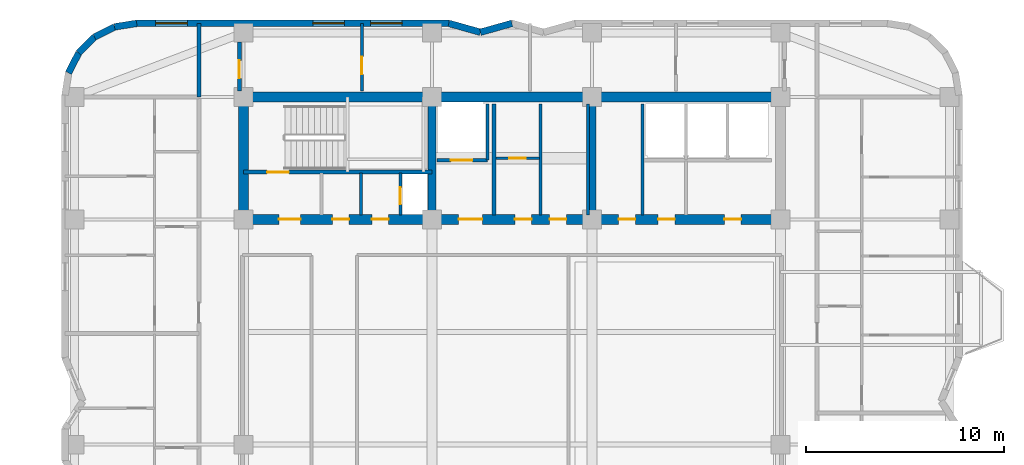
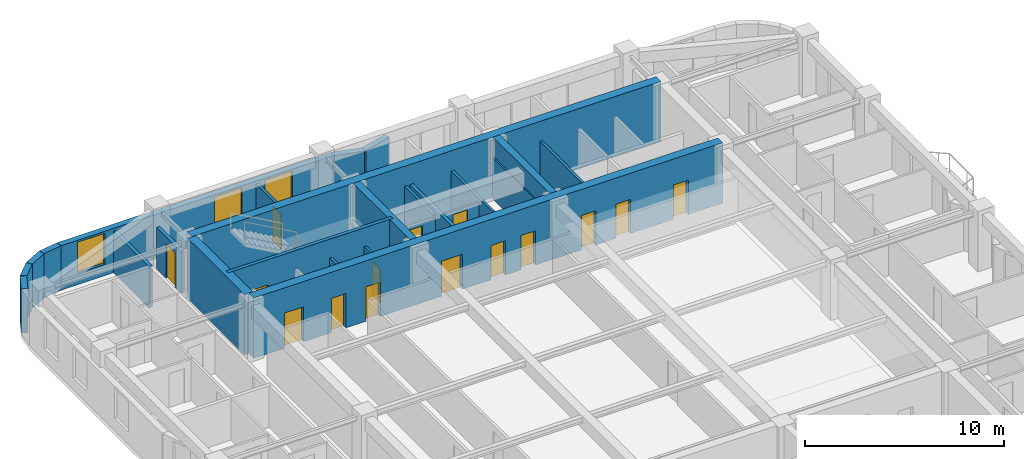
# One storey, part 6 of 9: 25 walls, 15 doors, 3 windows, 18 openings.
"""IFC4 building model written with IfcOpenShell, lengths in metres."""

from ifc_helpers import new_model, si_unit, direction, frame, frame_2d, origin, place, context, subcontext, project, spatial, rectangle, extrude, material, layer, layer_set, type_object, element, fill, save


model = new_model("IFC4")

# Units and contexts
model_context = context("Model", 3, precision=1e-05, world=origin(), true_north=direction((0.0, 1.0)))
body_context = subcontext(model_context, "Body", "Model", "MODEL_VIEW")
ifc_project = project(units=[si_unit("LENGTHUNIT", "METRE"), si_unit("AREAUNIT", "SQUARE_METRE"), si_unit("VOLUMEUNIT", "CUBIC_METRE"), si_unit("PLANEANGLEUNIT", "RADIAN"), si_unit("MASSUNIT", "GRAM", prefix="KILO")], contexts=[model_context])

# Site, building, storey
site_placement = place(None, origin())
site = spatial("IfcSite", under=ifc_project, at=site_placement, CompositionType="ELEMENT")
building_placement = place(site_placement, origin())
building = spatial("IfcBuilding", under=site, at=building_placement, Name="Svetorya Sky Lyceum", CompositionType="ELEMENT")
storey_placement = place(building_placement, frame((0.0, 0.0, 155.199951171875)))
storey = spatial("IfcBuildingStorey", under=building, at=storey_placement, Name="L38", CompositionType="ELEMENT", Elevation=155.199951171875)

# Walls
ifc_material_1 = material(Name="Concrete C40/50", Category="concrete")
ifc_layer_1 = layer(ifc_material_1, 0.39990234375)
ifc_layer_set_1 = layer_set([ifc_layer_1], Name="Concrete C40/50")
wall_type_1 = type_object("IfcWallType", Name="WL-CORE-400", PredefinedType="SHEAR", material=ifc_layer_set_1)
for number, where, z_axis, x_axis, name in (
    (1, (35.14990234375, 39.85009765625, 0.0), (0.0, 0.0, 1.0), (0.0, 1.0, 0.0), "L38 NC Internal Shear Web WEB1"),
    (2, (43.25, 39.85009765625, 0.0), (0.0, 0.0, 1.0), (0.0, 1.0, 0.0), "L38 NC Internal Shear Web WEB2"),
):
    element("IfcWall", number, at=place(storey_placement, frame(where, z_axis=z_axis, x_axis=x_axis)), inside=storey, type_object=wall_type_1, Name=name, PredefinedType="SHEAR", context=body_context, shape_type="SweptSolid", body=[
        extrude(rectangle(XDim=5.699951171875, YDim=0.39990234375, at=frame_2d((2.85009765625, 0.0))), origin(), (0.0, 0.0, 1.0), 3.699951171875),
    ])
ifc_material_2 = material(Name="Concrete C50/60", Category="concrete")
ifc_layer_2 = layer(ifc_material_2, 0.5)
ifc_layer_set_2 = layer_set([ifc_layer_2], Name="Concrete C50/60")
wall_type_2 = type_object("IfcWallType", Name="WL-CORE-500", PredefinedType="SHEAR", material=ifc_layer_set_2)
wall_1_placement = place(storey_placement, frame((25.60009765625, 45.800048828125, 0.0), z_axis=(0.0, 0.0, 1.0), x_axis=(1.0, 0.0, 0.0)))
element("IfcWall", 3, at=wall_1_placement, inside=storey, type_object=wall_type_2, Name="L38 NC Outer Core Shear Wall", PredefinedType="SHEAR", context=body_context, shape_type="SweptSolid", body=[
    extrude(rectangle(XDim=27.199951171875, YDim=0.5, at=frame_2d((13.60009765625, 0.0))), origin(), (0.0, 0.0, 1.0), 3.699951171875),
])
wall_2_placement = place(storey_placement, frame((25.60009765625, 39.85009765625, 0.0), z_axis=(0.0, 0.0, 1.0), x_axis=(0.0, 1.0, 0.0)))
element("IfcWall", 4, at=wall_2_placement, inside=storey, type_object=wall_type_2, Name="L38 NC West Core Shear Wall", PredefinedType="SHEAR", context=body_context, shape_type="SweptSolid", body=[
    extrude(rectangle(XDim=5.699951171875, YDim=0.5, at=frame_2d((2.85009765625, 0.0))), origin(), (0.0, 0.0, 1.0), 3.699951171875),
])

# Wall, openings, doors
wall_3_placement = place(storey_placement, frame((52.800048828125, 39.60009765625, 0.0), z_axis=(0.0, 0.0, 1.0), x_axis=(-1.0, 0.0, 0.0)))
wall_3 = element("IfcWall", 5, at=wall_3_placement, inside=storey, type_object=wall_type_2, Name="L38 NC Inner Core Shear Wall", PredefinedType="SHEAR", context=body_context, shape_type="SweptSolid", body=[
    extrude(rectangle(XDim=27.199951171875, YDim=0.5, at=frame_2d((13.60009765625, 0.0))), origin(), (0.0, 0.0, 1.0), 3.699951171875),
])
opening_1_placement = place(wall_3_placement, frame((24.300048828125, 0.0, 0.0)))
opening_1 = element("IfcOpeningElement", 6, at=opening_1_placement, cuts=wall_3, Name="Opening D-ST1", PredefinedType="OPENING", context=body_context, shape_type="SweptSolid", body=[
    extrude(rectangle(XDim=1.10009765625, YDim=2.14990234375, at=frame_2d((0.550048828125, 1.074951171875))), frame((0.0, 0.260009765625, 0.0), z_axis=(0.0, -1.0, 0.0), x_axis=(1.0, 0.0, 0.0)), (0.0, 0.0, 1.0), 0.52001953125),
])
opening_2_placement = place(wall_3_placement, frame((21.85009765625, 0.0, 0.0)))
opening_2 = element("IfcOpeningElement", 7, at=opening_2_placement, cuts=wall_3, Name="Opening D-CWC1", PredefinedType="OPENING", context=body_context, shape_type="SweptSolid", body=[
    extrude(rectangle(XDim=0.85009765625, YDim=2.10009765625, at=frame_2d((0.425048828125, 1.050048828125))), frame((0.0, 0.260009765625, 0.0), z_axis=(0.0, -1.0, 0.0), x_axis=(1.0, 0.0, 0.0)), (0.0, 0.0, 1.0), 0.52001953125),
])
opening_3_placement = place(wall_3_placement, frame((19.85009765625, 0.0, 0.0)))
opening_3 = element("IfcOpeningElement", 8, at=opening_3_placement, cuts=wall_3, Name="Opening D-CWC1", PredefinedType="OPENING", context=body_context, shape_type="SweptSolid", body=[
    extrude(rectangle(XDim=0.85009765625, YDim=2.10009765625, at=frame_2d((0.425048828125, 1.050048828125))), frame((0.0, 0.260009765625, 0.0), z_axis=(0.0, -1.0, 0.0), x_axis=(1.0, 0.0, 0.0)), (0.0, 0.0, 1.0), 0.52001953125),
])
opening_4_placement = place(wall_3_placement, frame((15.10009765625, 0.0, 0.0)))
opening_4 = element("IfcOpeningElement", 9, at=opening_4_placement, cuts=wall_3, Name="Opening D-FL1", PredefinedType="OPENING", context=body_context, shape_type="SweptSolid", body=[
    extrude(rectangle(XDim=1.199951171875, YDim=2.14990234375, at=frame_2d((0.60009765625, 1.074951171875))), frame((0.0, 0.260009765625, 0.0), z_axis=(0.0, -1.0, 0.0), x_axis=(1.0, 0.0, 0.0)), (0.0, 0.0, 1.0), 0.52001953125),
])
opening_5_placement = place(wall_3_placement, frame((12.60009765625, 0.0, 0.0)))
opening_5 = element("IfcOpeningElement", 10, at=opening_5_placement, cuts=wall_3, Name="Opening D-CWC1", PredefinedType="OPENING", context=body_context, shape_type="SweptSolid", body=[
    extrude(rectangle(XDim=0.85009765625, YDim=2.10009765625, at=frame_2d((0.425048828125, 1.050048828125))), frame((0.0, 0.260009765625, 0.0), z_axis=(0.0, -1.0, 0.0), x_axis=(1.0, 0.0, 0.0)), (0.0, 0.0, 1.0), 0.52001953125),
])
opening_6_placement = place(wall_3_placement, frame((10.85009765625, 0.0, 0.0)))
opening_6 = element("IfcOpeningElement", 11, at=opening_6_placement, cuts=wall_3, Name="Opening D-CWC1", PredefinedType="OPENING", context=body_context, shape_type="SweptSolid", body=[
    extrude(rectangle(XDim=0.85009765625, YDim=2.10009765625, at=frame_2d((0.425048828125, 1.050048828125))), frame((0.0, 0.260009765625, 0.0), z_axis=(0.0, -1.0, 0.0), x_axis=(1.0, 0.0, 0.0)), (0.0, 0.0, 1.0), 0.52001953125),
])
opening_7_placement = place(wall_3_placement, frame((7.35009765625, 0.0, 0.0)))
opening_7 = element("IfcOpeningElement", 12, at=opening_7_placement, cuts=wall_3, Name="Opening D-CWC1", PredefinedType="OPENING", context=body_context, shape_type="SweptSolid", body=[
    extrude(rectangle(XDim=0.85009765625, YDim=2.10009765625, at=frame_2d((0.425048828125, 1.050048828125))), frame((0.0, 0.260009765625, 0.0), z_axis=(0.0, -1.0, 0.0), x_axis=(1.0, 0.0, 0.0)), (0.0, 0.0, 1.0), 0.52001953125),
])
opening_8_placement = place(wall_3_placement, frame((5.35009765625, 0.0, 0.0)))
opening_8 = element("IfcOpeningElement", 13, at=opening_8_placement, cuts=wall_3, Name="Opening D-CWC1", PredefinedType="OPENING", context=body_context, shape_type="SweptSolid", body=[
    extrude(rectangle(XDim=0.85009765625, YDim=2.10009765625, at=frame_2d((0.425048828125, 1.050048828125))), frame((0.0, 0.260009765625, 0.0), z_axis=(0.0, -1.0, 0.0), x_axis=(1.0, 0.0, 0.0)), (0.0, 0.0, 1.0), 0.52001953125),
])
opening_9_placement = place(wall_3_placement, frame((2.0, 0.0, 0.0)))
opening_9 = element("IfcOpeningElement", 14, at=opening_9_placement, cuts=wall_3, Name="Opening D-CWC1", PredefinedType="OPENING", context=body_context, shape_type="SweptSolid", body=[
    extrude(rectangle(XDim=0.85009765625, YDim=2.10009765625, at=frame_2d((0.425048828125, 1.050048828125))), frame((0.0, 0.260009765625, 0.0), z_axis=(0.0, -1.0, 0.0), x_axis=(1.0, 0.0, 0.0)), (0.0, 0.0, 1.0), 0.52001953125),
])
ifc_material_3 = material(Name="Fire-rated galvanized steel core service closet door", Category="steel")
door_type_1 = type_object("IfcDoorType", Name="DR-CWET-850", OperationType="SINGLE_SWING_LEFT", PredefinedType="DOOR", material=ifc_material_3)
door_1_placement = place(opening_2_placement, origin())
door_1 = element("IfcDoor", 15, at=door_1_placement, inside=storey, type_object=door_type_1, Name="L38 North Cleaner Door", OperationType="SINGLE_SWING_RIGHT", OverallHeight=2.10009765625, OverallWidth=0.85009765625, PredefinedType="DOOR", context=body_context, shape_type="SweptSolid", body=[
    extrude(rectangle(XDim=0.85009765625, YDim=2.10009765625, at=frame_2d((0.425048828125, 1.050048828125))), frame((0.0, 0.02490234375, 0.0), z_axis=(0.0, -1.0, 0.0), x_axis=(1.0, 0.0, 0.0)), (0.0, 0.0, 1.0), 0.050048828125),
])
fill(opening_2, door_1)
door_2_placement = place(opening_3_placement, origin())
door_2 = element("IfcDoor", 16, at=door_2_placement, inside=storey, type_object=door_type_1, Name="L38 North Meter Door", OperationType="SINGLE_SWING_LEFT", OverallHeight=2.10009765625, OverallWidth=0.85009765625, PredefinedType="DOOR", context=body_context, shape_type="SweptSolid", body=[
    extrude(rectangle(XDim=0.85009765625, YDim=2.10009765625, at=frame_2d((0.425048828125, 1.050048828125))), frame((0.0, 0.02490234375, 0.0), z_axis=(0.0, -1.0, 0.0), x_axis=(1.0, 0.0, 0.0)), (0.0, 0.0, 1.0), 0.050048828125),
])
fill(opening_3, door_2)
door_3_placement = place(opening_5_placement, origin())
door_3 = element("IfcDoor", 17, at=door_3_placement, inside=storey, type_object=door_type_1, Name="L38 Cleaner Vestibule Door", OperationType="SINGLE_SWING_LEFT", OverallHeight=2.10009765625, OverallWidth=0.85009765625, PredefinedType="DOOR", context=body_context, shape_type="SweptSolid", body=[
    extrude(rectangle(XDim=0.85009765625, YDim=2.10009765625, at=frame_2d((0.425048828125, 1.050048828125))), frame((0.0, 0.02490234375, 0.0), z_axis=(0.0, -1.0, 0.0), x_axis=(1.0, 0.0, 0.0)), (0.0, 0.0, 1.0), 0.050048828125),
])
fill(opening_5, door_3)
door_4_placement = place(opening_6_placement, origin())
door_4 = element("IfcDoor", 18, at=door_4_placement, inside=storey, type_object=door_type_1, Name="L38 Upper Pram Store Door", OperationType="SINGLE_SWING_RIGHT", OverallHeight=2.10009765625, OverallWidth=0.85009765625, PredefinedType="DOOR", context=body_context, shape_type="SweptSolid", body=[
    extrude(rectangle(XDim=0.85009765625, YDim=2.10009765625, at=frame_2d((0.425048828125, 1.050048828125))), frame((0.0, 0.02490234375, 0.0), z_axis=(0.0, -1.0, 0.0), x_axis=(1.0, 0.0, 0.0)), (0.0, 0.0, 1.0), 0.050048828125),
])
fill(opening_6, door_4)
door_5_placement = place(opening_7_placement, origin())
door_5 = element("IfcDoor", 19, at=door_5_placement, inside=storey, type_object=door_type_1, Name="L38 High-Zone Utility Room Door", OperationType="SINGLE_SWING_LEFT", OverallHeight=2.10009765625, OverallWidth=0.85009765625, PredefinedType="DOOR", context=body_context, shape_type="SweptSolid", body=[
    extrude(rectangle(XDim=0.85009765625, YDim=2.10009765625, at=frame_2d((0.425048828125, 1.050048828125))), frame((0.0, 0.02490234375, 0.0), z_axis=(0.0, -1.0, 0.0), x_axis=(1.0, 0.0, 0.0)), (0.0, 0.0, 1.0), 0.050048828125),
])
fill(opening_7, door_5)
door_6_placement = place(opening_8_placement, origin())
door_6 = element("IfcDoor", 20, at=door_6_placement, inside=storey, type_object=door_type_1, Name="L38 North Electrical Door", OperationType="SINGLE_SWING_LEFT", OverallHeight=2.10009765625, OverallWidth=0.85009765625, PredefinedType="DOOR", context=body_context, shape_type="SweptSolid", body=[
    extrude(rectangle(XDim=0.85009765625, YDim=2.10009765625, at=frame_2d((0.425048828125, 1.050048828125))), frame((0.0, 0.02490234375, 0.0), z_axis=(0.0, -1.0, 0.0), x_axis=(1.0, 0.0, 0.0)), (0.0, 0.0, 1.0), 0.050048828125),
])
fill(opening_8, door_6)
door_7_placement = place(opening_9_placement, origin())
door_7 = element("IfcDoor", 21, at=door_7_placement, inside=storey, type_object=door_type_1, Name="L38 North Pram Door", OperationType="SINGLE_SWING_RIGHT", OverallHeight=2.10009765625, OverallWidth=0.85009765625, PredefinedType="DOOR", context=body_context, shape_type="SweptSolid", body=[
    extrude(rectangle(XDim=0.85009765625, YDim=2.10009765625, at=frame_2d((0.425048828125, 1.050048828125))), frame((0.0, 0.02490234375, 0.0), z_axis=(0.0, -1.0, 0.0), x_axis=(1.0, 0.0, 0.0)), (0.0, 0.0, 1.0), 0.050048828125),
])
fill(opening_9, door_7)
ifc_material_4 = material(Name="Powder-coated insulated galvanized stair fire door")
door_type_2 = type_object("IfcDoorType", Name="DR-FIRE-1100", OperationType="SINGLE_SWING_LEFT", PredefinedType="DOOR", material=ifc_material_4)
door_8_placement = place(opening_1_placement, origin())
door_8 = element("IfcDoor", 22, at=door_8_placement, inside=storey, type_object=door_type_2, Name="L38 North Stair Airlock Door", OperationType="SINGLE_SWING_LEFT", OverallHeight=2.14990234375, OverallWidth=1.10009765625, PredefinedType="DOOR", context=body_context, shape_type="SweptSolid", body=[
    extrude(rectangle(XDim=1.10009765625, YDim=2.14990234375, at=frame_2d((0.550048828125, 1.074951171875))), frame((0.0, 0.02490234375, 0.0), z_axis=(0.0, -1.0, 0.0), x_axis=(1.0, 0.0, 0.0)), (0.0, 0.0, 1.0), 0.050048828125),
])
fill(opening_1, door_8)
ifc_material_5 = material(Name="Powder-coated insulated galvanized fire door")
door_type_3 = type_object("IfcDoorType", Name="DR-FIRE-1200", OperationType="SINGLE_SWING_LEFT", PredefinedType="DOOR", material=ifc_material_5)
door_9_placement = place(opening_4_placement, origin())
door_9 = element("IfcDoor", 23, at=door_9_placement, inside=storey, type_object=door_type_3, Name="L38 North Firefighting Lift Lobby Door", OperationType="SINGLE_SWING_RIGHT", OverallHeight=2.14990234375, OverallWidth=1.199951171875, PredefinedType="DOOR", context=body_context, shape_type="SweptSolid", body=[
    extrude(rectangle(XDim=1.199951171875, YDim=2.14990234375, at=frame_2d((0.60009765625, 1.074951171875))), frame((0.0, 0.02490234375, 0.0), z_axis=(0.0, -1.0, 0.0), x_axis=(1.0, 0.0, 0.0)), (0.0, 0.0, 1.0), 0.050048828125),
])
fill(opening_4, door_9)

# Walls
ifc_material_6 = material(Name="Putilovo limestone rainscreen on autoclaved cellular masonry", Category="masonry")
ifc_layer_3 = layer(ifc_material_6, 0.340087890625)
ifc_layer_set_3 = layer_set([ifc_layer_3], Name="Putilovo limestone rainscreen on autoclaved cellular masonry")
wall_type_3 = type_object("IfcWallType", Name="WL-EXT-340", PredefinedType="SOLIDWALL", material=ifc_layer_set_3)
wall_4_placement = place(storey_placement, frame((39.199951171875, 49.530029296875, 0.0), z_axis=(0.0, 0.0, 1.0), x_axis=(-0.962652136636, -0.270741322725, 0.0)))
element("IfcWall", 24, at=wall_4_placement, inside=storey, type_object=wall_type_3, Name="L38 Limestone Exterior Wall 32M", PredefinedType="SOLIDWALL", context=body_context, shape_type="SweptSolid", body=[
    extrude(rectangle(XDim=1.661865234375, YDim=0.340087890625, at=frame_2d((0.8310546875, 0.0))), origin(), (0.0, 0.0, 1.0), 2.719970703125),
])
wall_5_placement = place(storey_placement, frame((37.60009765625, 49.080078125, 0.0), z_axis=(0.0, 0.0, 1.0), x_axis=(-0.962662902433, 0.270703040766, 0.0)))
element("IfcWall", 25, at=wall_5_placement, inside=storey, type_object=wall_type_3, Name="L38 Limestone Exterior Wall 33M", PredefinedType="SOLIDWALL", context=body_context, shape_type="SweptSolid", body=[
    extrude(rectangle(XDim=1.662109375, YDim=0.340087890625, at=frame_2d((0.8310546875, 0.0))), origin(), (0.0, 0.0, 1.0), 2.719970703125),
])

# Wall, openings, windows
wall_6_placement = place(storey_placement, frame((36.0, 49.530029296875, 0.0), z_axis=(0.0, 0.0, 1.0), x_axis=(-1.0, 0.0, 0.0)))
wall_6 = element("IfcWall", 26, at=wall_6_placement, inside=storey, type_object=wall_type_3, Name="L38 Limestone Exterior Wall 34M", PredefinedType="SOLIDWALL", context=body_context, shape_type="SweptSolid", body=[
    extrude(rectangle(XDim=15.800048828125, YDim=0.340087890625, at=frame_2d((7.89990234375, 0.0))), origin(), (0.0, 0.0, 1.0), 2.719970703125),
])
opening_10_placement = place(wall_6_placement, frame((2.362548828125, 0.0, 0.699951171875)))
opening_10 = element("IfcOpeningElement", 27, at=opening_10_placement, cuts=wall_6, Name="Opening W-R4", PredefinedType="OPENING", context=body_context, shape_type="SweptSolid", body=[
    extrude(rectangle(XDim=1.60009765625, YDim=1.89990234375, at=frame_2d((0.800048828125, 0.949951171875))), frame((0.0, 0.179931640625, 0.0), z_axis=(0.0, -1.0, 0.0), x_axis=(1.0, 0.0, 0.0)), (0.0, 0.0, 1.0), 0.360107421875),
])
opening_11_placement = place(wall_6_placement, frame((5.28759765625, 0.0, 0.699951171875)))
opening_11 = element("IfcOpeningElement", 28, at=opening_11_placement, cuts=wall_6, Name="Opening W-R4", PredefinedType="OPENING", context=body_context, shape_type="SweptSolid", body=[
    extrude(rectangle(XDim=1.60009765625, YDim=1.89990234375, at=frame_2d((0.800048828125, 0.949951171875))), frame((0.0, 0.179931640625, 0.0), z_axis=(0.0, -1.0, 0.0), x_axis=(1.0, 0.0, 0.0)), (0.0, 0.0, 1.0), 0.360107421875),
])
opening_12_placement = place(wall_6_placement, frame((13.237548828125, 0.0, 0.699951171875)))
opening_12 = element("IfcOpeningElement", 29, at=opening_12_placement, cuts=wall_6, Name="Opening W-R4", PredefinedType="OPENING", context=body_context, shape_type="SweptSolid", body=[
    extrude(rectangle(XDim=1.60009765625, YDim=1.89990234375, at=frame_2d((0.800048828125, 0.949951171875))), frame((0.0, 0.179931640625, 0.0), z_axis=(0.0, -1.0, 0.0), x_axis=(1.0, 0.0, 0.0)), (0.0, 0.0, 1.0), 0.360107421875),
])
ifc_material_7 = material(Name="Thermally broken aluminium frame with triple low-E glazing", Category="aluminium")
window_type = type_object("IfcWindowType", Name="WN-RES-160", PartitioningType="DOUBLE_PANEL_VERTICAL", PredefinedType="WINDOW", material=ifc_material_7)
window_1_placement = place(opening_10_placement, origin())
window_1 = element("IfcWindow", 30, at=window_1_placement, inside=storey, type_object=window_type, Name="L38 Facade Window W-R4.34M.1", OverallHeight=1.89990234375, OverallWidth=1.60009765625, PartitioningType="SINGLE_PANEL", PredefinedType="WINDOW", context=body_context, shape_type="SweptSolid", body=[
    extrude(rectangle(XDim=1.60009765625, YDim=1.89990234375, at=frame_2d((0.800048828125, 0.949951171875))), frame((0.0, 0.030029296875, 0.0), z_axis=(0.0, -1.0, 0.0), x_axis=(1.0, 0.0, 0.0)), (0.0, 0.0, 1.0), 0.06005859375),
])
fill(opening_10, window_1)
window_2_placement = place(opening_11_placement, origin())
window_2 = element("IfcWindow", 31, at=window_2_placement, inside=storey, type_object=window_type, Name="L38 Facade Window W-R4.34M.2", OverallHeight=1.89990234375, OverallWidth=1.60009765625, PartitioningType="SINGLE_PANEL", PredefinedType="WINDOW", context=body_context, shape_type="SweptSolid", body=[
    extrude(rectangle(XDim=1.60009765625, YDim=1.89990234375, at=frame_2d((0.800048828125, 0.949951171875))), frame((0.0, 0.030029296875, 0.0), z_axis=(0.0, -1.0, 0.0), x_axis=(1.0, 0.0, 0.0)), (0.0, 0.0, 1.0), 0.06005859375),
])
fill(opening_11, window_2)
window_3_placement = place(opening_12_placement, origin())
window_3 = element("IfcWindow", 32, at=window_3_placement, inside=storey, type_object=window_type, Name="L38 Facade Window W-R4.34M.3", OverallHeight=1.89990234375, OverallWidth=1.60009765625, PartitioningType="SINGLE_PANEL", PredefinedType="WINDOW", context=body_context, shape_type="SweptSolid", body=[
    extrude(rectangle(XDim=1.60009765625, YDim=1.89990234375, at=frame_2d((0.800048828125, 0.949951171875))), frame((0.0, 0.030029296875, 0.0), z_axis=(0.0, -1.0, 0.0), x_axis=(1.0, 0.0, 0.0)), (0.0, 0.0, 1.0), 0.06005859375),
])
fill(opening_12, window_3)

# Walls
wall_7_placement = place(storey_placement, frame((20.199951171875, 49.530029296875, 0.0), z_axis=(0.0, 0.0, 1.0), x_axis=(-0.987675651954, -0.156514556949, 0.0)))
element("IfcWall", 33, at=wall_7_placement, inside=storey, type_object=wall_type_3, Name="L38 Limestone Exterior Wall 35M", PredefinedType="SOLIDWALL", context=body_context, shape_type="SweptSolid", body=[
    extrude(rectangle(XDim=1.135498046875, YDim=0.340087890625, at=frame_2d((0.56787109375, 0.0))), origin(), (0.0, 0.0, 1.0), 2.719970703125),
])
for number, where, z_axis, x_axis, name in (
    (34, (19.078369140625, 49.352294921875, 0.0), (0.0, 0.0, 1.0), (-0.891005044957, -0.453993402883, 0.0), "L38 Limestone Exterior Wall 36M"),
    (35, (18.06640625, 48.836669921875, 0.0), (0.0, 0.0, 1.0), (-0.707214252388, -0.706999293649, 0.0), "L38 Limestone Exterior Wall 37M"),
    (36, (17.26318359375, 48.03369140625, 0.0), (0.0, 0.0, 1.0), (-0.453822724105, -0.891091990249, 0.0), "L38 Limestone Exterior Wall 38M"),
):
    element("IfcWall", number, at=place(storey_placement, frame(where, z_axis=z_axis, x_axis=x_axis)), inside=storey, type_object=wall_type_3, Name=name, PredefinedType="SOLIDWALL", context=body_context, shape_type="SweptSolid", body=[
        extrude(rectangle(XDim=1.1357421875, YDim=0.340087890625, at=frame_2d((0.56787109375, 0.0))), origin(), (0.0, 0.0, 1.0), 2.719970703125),
    ])

# Wall, opening, door
ifc_material_8 = material(Name="Twin-stud galvanized framing with double fireboard", Category="gypsum")
ifc_layer_4 = layer(ifc_material_8, 0.1201171875)
ifc_layer_set_4 = layer_set([ifc_layer_4], Name="Twin-stud galvanized framing with double fireboard")
wall_type_4 = type_object("IfcWallType", Name="WL-PART-120", PredefinedType="PARTITIONING", material=ifc_layer_set_4)
wall_8_placement = place(storey_placement, frame((38.39990234375, 42.699951171875, 0.0), z_axis=(0.0, 0.0, 1.0), x_axis=(1.0, 0.0, 0.0)))
wall_8 = element("IfcWall", 37, at=wall_8_placement, inside=storey, type_object=wall_type_4, Name="L38 Interior Partition NC-FPM-H", PredefinedType="PARTITIONING", context=body_context, shape_type="SweptSolid", body=[
    extrude(rectangle(XDim=2.2001953125, YDim=0.1201171875, at=frame_2d((1.10009765625, 0.0))), origin(), (0.0, 0.0, 1.0), 2.320068359375),
])
opening_13_placement = place(wall_8_placement, frame((0.64990234375, 0.0, 0.0)))
opening_13 = element("IfcOpeningElement", 38, at=opening_13_placement, cuts=wall_8, Name="Opening D-CWC1", PredefinedType="OPENING", context=body_context, shape_type="SweptSolid", body=[
    extrude(rectangle(XDim=0.85009765625, YDim=2.10009765625, at=frame_2d((0.425048828125, 1.050048828125))), frame((0.0, 0.070068359375, 0.0), z_axis=(0.0, -1.0, 0.0), x_axis=(1.0, 0.0, 0.0)), (0.0, 0.0, 1.0), 0.14013671875),
])
door_10_placement = place(opening_13_placement, origin())
door_10 = element("IfcDoor", 39, at=door_10_placement, inside=storey, type_object=door_type_1, Name="L38 Rear IT Closet Door", OperationType="SINGLE_SWING_LEFT", OverallHeight=2.10009765625, OverallWidth=0.85009765625, PredefinedType="DOOR", context=body_context, shape_type="SweptSolid", body=[
    extrude(rectangle(XDim=0.85009765625, YDim=2.10009765625, at=frame_2d((0.425048828125, 1.050048828125))), frame((0.0, 0.02490234375, 0.0), z_axis=(0.0, -1.0, 0.0), x_axis=(1.0, 0.0, 0.0)), (0.0, 0.0, 1.0), 0.050048828125),
])
fill(opening_13, door_10)

ifc_material_9 = material(Name="Autoclaved cellular masonry blockwork with acoustic render", Category="masonry")
ifc_layer_5 = layer(ifc_material_9, 0.14990234375)
ifc_layer_set_5 = layer_set([ifc_layer_5], Name="Autoclaved cellular masonry blockwork with acoustic render")
wall_type_5 = type_object("IfcWallType", Name="WL-PART-150", PredefinedType="PARTITIONING", material=ifc_layer_set_5)
wall_9_placement = place(storey_placement, frame((33.550048828125, 39.820068359375, 0.0), z_axis=(0.0, 0.0, 1.0), x_axis=(0.0, 1.0, 0.0)))
wall_9 = element("IfcWall", 40, at=wall_9_placement, inside=storey, type_object=wall_type_5, Name="L38 Interior Partition NC-RSRW", PredefinedType="PARTITIONING", context=body_context, shape_type="SweptSolid", body=[
    extrude(rectangle(XDim=2.1298828125, YDim=0.14990234375, at=frame_2d((1.06494140625, 0.0))), origin(), (0.0, 0.0, 1.0), 2.550048828125),
])
opening_14_placement = place(wall_9_placement, frame((0.550048828125, 0.0, 0.0)))
opening_14 = element("IfcOpeningElement", 41, at=opening_14_placement, cuts=wall_9, Name="Opening D-SH1", PredefinedType="OPENING", context=body_context, shape_type="SweptSolid", body=[
    extrude(rectangle(XDim=0.85009765625, YDim=2.050048828125, at=frame_2d((0.425048828125, 1.02490234375))), frame((0.0, 0.0849609375, 0.0), z_axis=(0.0, -1.0, 0.0), x_axis=(1.0, 0.0, 0.0)), (0.0, 0.0, 1.0), 0.169921875),
])
ifc_material_10 = material(Name="Insulated galvanized riser inspection fire door")
door_type_4 = type_object("IfcDoorType", Name="DR-SHFT-850", OperationType="SINGLE_SWING_LEFT", PredefinedType="TRAPDOOR", material=ifc_material_10)
door_11_placement = place(opening_14_placement, origin())
door_11 = element("IfcDoor", 42, at=door_11_placement, inside=storey, type_object=door_type_4, Name="L38 North Riser Access Door", OperationType="SINGLE_SWING_LEFT", OverallHeight=2.050048828125, OverallWidth=0.85009765625, PredefinedType="TRAPDOOR", context=body_context, shape_type="SweptSolid", body=[
    extrude(rectangle(XDim=0.85009765625, YDim=2.050048828125, at=frame_2d((0.425048828125, 1.02490234375))), frame((0.0, 0.02490234375, 0.0), z_axis=(0.0, -1.0, 0.0), x_axis=(1.0, 0.0, 0.0)), (0.0, 0.0, 1.0), 0.050048828125),
])
fill(opening_14, door_11)

# Walls
wall_10_placement = place(storey_placement, frame((31.550048828125, 39.820068359375, 0.0), z_axis=(0.0, 0.0, 1.0), x_axis=(0.0, 1.0, 0.0)))
element("IfcWall", 43, at=wall_10_placement, inside=storey, type_object=wall_type_5, Name="L38 Interior Partition NC-NWD2", PredefinedType="PARTITIONING", context=body_context, shape_type="SweptSolid", body=[
    extrude(rectangle(XDim=2.1298828125, YDim=0.14990234375, at=frame_2d((1.06494140625, 0.0))), origin(), (0.0, 0.0, 1.0), 2.550048828125),
])
wall_11_placement = place(storey_placement, frame((37.949951171875, 42.60009765625, 0.0), z_axis=(0.0, 0.0, 1.0), x_axis=(0.0, 1.0, 0.0)))
element("IfcWall", 44, at=wall_11_placement, inside=storey, type_object=wall_type_5, Name="L38 Interior Partition NC-FL1SIDE", PredefinedType="PARTITIONING", context=body_context, shape_type="SweptSolid", body=[
    extrude(rectangle(XDim=2.849853515625, YDim=0.14990234375, at=frame_2d((1.4248046875, 0.0))), origin(), (0.0, 0.0, 1.0), 2.550048828125),
])
for number, where, z_axis, x_axis, name in (
    (45, (43.050048828125, 39.820068359375, 0.0), (0.0, 0.0, 1.0), (0.0, 1.0, 0.0), "L38 Interior Partition NC-FPM-END"),
    (46, (40.64990234375, 39.820068359375, 0.0), (0.0, 0.0, 1.0), (0.0, 1.0, 0.0), "L38 Interior Partition NC-FPM-V"),
    (47, (45.800048828125, 39.820068359375, 0.0), (0.0, 0.0, 1.0), (0.0, 1.0, 0.0), "L38 Interior Partition NC-PM3-FULL"),
):
    element("IfcWall", number, at=place(storey_placement, frame(where, z_axis=z_axis, x_axis=x_axis)), inside=storey, type_object=wall_type_5, Name=name, PredefinedType="PARTITIONING", context=body_context, shape_type="SweptSolid", body=[
        extrude(rectangle(XDim=5.6298828125, YDim=0.14990234375, at=frame_2d((2.81494140625, 0.0))), origin(), (0.0, 0.0, 1.0), 2.550048828125),
    ])

# Wall, opening, door
wall_12_placement = place(storey_placement, frame((31.60009765625, 46.10009765625, 0.0), z_axis=(0.0, 0.0, 1.0), x_axis=(0.0, 1.0, 0.0)))
wall_12 = element("IfcWall", 48, at=wall_12_placement, inside=storey, type_object=wall_type_5, Name="L38 Interior Partition N4-D1", PredefinedType="PARTITIONING", context=body_context, shape_type="SweptSolid", body=[
    extrude(rectangle(XDim=3.429931640625, YDim=0.14990234375, at=frame_2d((1.71484375, 0.0))), origin(), (0.0, 0.0, 1.0), 2.550048828125),
])
opening_15_placement = place(wall_12_placement, frame((0.85009765625, 0.0, 0.0)))
opening_15 = element("IfcOpeningElement", 49, at=opening_15_placement, cuts=wall_12, Name="Opening D-RM1", PredefinedType="OPENING", context=body_context, shape_type="SweptSolid", body=[
    extrude(rectangle(XDim=0.89990234375, YDim=2.10009765625, at=frame_2d((0.449951171875, 1.050048828125))), frame((0.0, 0.0849609375, 0.0), z_axis=(0.0, -1.0, 0.0), x_axis=(1.0, 0.0, 0.0)), (0.0, 0.0, 1.0), 0.169921875),
])
ifc_material_11 = material(Name="Lacquered birch veneer internal door")
door_type_5 = type_object("IfcDoorType", Name="DR-INT-900", OperationType="SINGLE_SWING_LEFT", PredefinedType="DOOR", material=ifc_material_11)
door_12_placement = place(opening_15_placement, origin())
door_12 = element("IfcDoor", 50, at=door_12_placement, inside=storey, type_object=door_type_5, Name="L38 North Suite Door 1", OperationType="SINGLE_SWING_RIGHT", OverallHeight=2.10009765625, OverallWidth=0.89990234375, PredefinedType="DOOR", context=body_context, shape_type="SweptSolid", body=[
    extrude(rectangle(XDim=0.89990234375, YDim=2.10009765625, at=frame_2d((0.449951171875, 1.050048828125))), frame((0.0, 0.02490234375, 0.0), z_axis=(0.0, -1.0, 0.0), x_axis=(1.0, 0.0, 0.0)), (0.0, 0.0, 1.0), 0.050048828125),
])
fill(opening_15, door_12)

ifc_material_12 = material(Name="Autoclaved cellular masonry blockwork with gypsum plaster", Category="masonry")
ifc_layer_6 = layer(ifc_material_12, 0.199951171875)
ifc_layer_set_6 = layer_set([ifc_layer_6], Name="Autoclaved cellular masonry blockwork with gypsum plaster")
wall_type_6 = type_object("IfcWallType", Name="WL-PART-200", PredefinedType="PARTITIONING", material=ifc_layer_set_6)
wall_13_placement = place(storey_placement, frame((37.949951171875, 42.60009765625, 0.0), z_axis=(0.0, 0.0, 1.0), x_axis=(-1.0, 0.0, 0.0)))
wall_13 = element("IfcWall", 51, at=wall_13_placement, inside=storey, type_object=wall_type_6, Name="L38 Interior Partition NC-FL1W", PredefinedType="PARTITIONING", context=body_context, shape_type="SweptSolid", body=[
    extrude(rectangle(XDim=2.550048828125, YDim=0.199951171875, at=frame_2d((1.27490234375, 0.0))), origin(), (0.0, 0.0, 1.0), 2.320068359375),
])
opening_16_placement = place(wall_13_placement, frame((0.75, 0.0, 0.0)))
opening_16 = element("IfcOpeningElement", 52, at=opening_16_placement, cuts=wall_13, Name="Opening LD-FL", PredefinedType="OPENING", context=body_context, shape_type="SweptSolid", body=[
    extrude(rectangle(XDim=1.10009765625, YDim=2.14990234375, at=frame_2d((0.550048828125, 1.074951171875))), frame((0.0, 0.10986328125, 0.0), z_axis=(0.0, -1.0, 0.0), x_axis=(1.0, 0.0, 0.0)), (0.0, 0.0, 1.0), 0.219970703125),
])
ifc_material_13 = material(Name="Fire-rated stainless AISI 304 firefighting lift landing door")
door_type_6 = type_object("IfcDoorType", Name="DR-LIFT-1100", OperationType="SLIDING_TO_LEFT", PredefinedType="DOOR", material=ifc_material_13)
door_13_placement = place(opening_16_placement, origin())
door_13 = element("IfcDoor", 53, at=door_13_placement, inside=storey, type_object=door_type_6, Name="L38 Firefighting Lift FL1 Landing Door", OperationType="SLIDING_TO_LEFT", OverallHeight=2.14990234375, OverallWidth=1.10009765625, PredefinedType="DOOR", context=body_context, shape_type="SweptSolid", body=[
    extrude(rectangle(XDim=1.10009765625, YDim=2.14990234375, at=frame_2d((0.550048828125, 1.074951171875))), frame((0.0, 0.02490234375, 0.0), z_axis=(0.0, -1.0, 0.0), x_axis=(1.0, 0.0, 0.0)), (0.0, 0.0, 1.0), 0.050048828125),
])
fill(opening_16, door_13)

# Walls
wall_14_placement = place(storey_placement, frame((38.280029296875, 39.820068359375, 0.0), z_axis=(0.0, 0.0, 1.0), x_axis=(0.0, 1.0, 0.0)))
element("IfcWall", 54, at=wall_14_placement, inside=storey, type_object=wall_type_6, Name="L38 Interior Partition NC-FFLDIV", PredefinedType="PARTITIONING", context=body_context, shape_type="SweptSolid", body=[
    extrude(rectangle(XDim=5.6298828125, YDim=0.199951171875, at=frame_2d((2.81494140625, 0.0))), origin(), (0.0, 0.0, 1.0), 2.550048828125),
])
wall_15_placement = place(storey_placement, frame((23.35009765625, 45.800048828125, 0.0), z_axis=(0.0, 0.0, 1.0), x_axis=(0.0, 1.0, 0.0)))
element("IfcWall", 55, at=wall_15_placement, inside=storey, type_object=wall_type_6, Name="L38 Interior Partition WC-NW-END", PredefinedType="PARTITIONING", context=body_context, shape_type="SweptSolid", body=[
    extrude(rectangle(XDim=3.72998046875, YDim=0.199951171875, at=frame_2d((1.864990234375, 0.0))), origin(), (0.0, 0.0, 1.0), 2.550048828125),
])

# Wall, opening, door
wall_16_placement = place(storey_placement, frame((25.39990234375, 46.10009765625, 0.0), z_axis=(0.0, 0.0, 1.0), x_axis=(0.0, 1.0, 0.0)))
wall_16 = element("IfcWall", 56, at=wall_16_placement, inside=storey, type_object=wall_type_6, Name="L38 Interior Partition N4-EW", PredefinedType="PARTITIONING", context=body_context, shape_type="SweptSolid", body=[
    extrude(rectangle(XDim=2.47998046875, YDim=0.199951171875, at=frame_2d((1.239990234375, 0.0))), origin(), (0.0, 0.0, 1.0), 2.550048828125),
])
opening_17_placement = place(wall_16_placement, frame((0.64990234375, 0.0, 0.0)))
opening_17 = element("IfcOpeningElement", 57, at=opening_17_placement, cuts=wall_16, Name="Opening D-RM1", PredefinedType="OPENING", context=body_context, shape_type="SweptSolid", body=[
    extrude(rectangle(XDim=0.89990234375, YDim=2.10009765625, at=frame_2d((0.449951171875, 1.050048828125))), frame((0.0, 0.10986328125, 0.0), z_axis=(0.0, -1.0, 0.0), x_axis=(1.0, 0.0, 0.0)), (0.0, 0.0, 1.0), 0.219970703125),
])
door_14_placement = place(opening_17_placement, origin())
door_14 = element("IfcDoor", 58, at=door_14_placement, inside=storey, type_object=door_type_5, Name="L38 NW Study Door", OperationType="SINGLE_SWING_RIGHT", OverallHeight=2.10009765625, OverallWidth=0.89990234375, PredefinedType="DOOR", context=body_context, shape_type="SweptSolid", body=[
    extrude(rectangle(XDim=0.89990234375, YDim=2.10009765625, at=frame_2d((0.449951171875, 1.050048828125))), frame((0.0, 0.02490234375, 0.0), z_axis=(0.0, -1.0, 0.0), x_axis=(1.0, 0.0, 0.0)), (0.0, 0.0, 1.0), 0.050048828125),
])
fill(opening_17, door_14)

ifc_layer_7 = layer(ifc_material_2, 0.199951171875)
ifc_layer_set_7 = layer_set([ifc_layer_7], Name="Concrete C50/60")
wall_type_7 = type_object("IfcWallType", Name="WL-SHW-200", PredefinedType="SHEAR", material=ifc_layer_set_7)
wall_17_placement = place(storey_placement, frame((35.14990234375, 42.0, 0.0), z_axis=(0.0, 0.0, 1.0), x_axis=(-1.0, 0.0, 0.0)))
wall_17 = element("IfcWall", 59, at=wall_17_placement, inside=storey, type_object=wall_type_7, Name="L38 Structural Stair Shaft Wall NC-STW", PredefinedType="SHEAR", context=body_context, shape_type="SweptSolid", body=[
    extrude(rectangle(XDim=9.5498046875, YDim=0.199951171875, at=frame_2d((4.77490234375, 0.0))), origin(), (0.0, 0.0, 1.0), 3.699951171875),
])
opening_18_placement = place(wall_17_placement, frame((7.25, 0.0, 0.0)))
opening_18 = element("IfcOpeningElement", 60, at=opening_18_placement, cuts=wall_17, Name="Opening D-ST1", PredefinedType="OPENING", context=body_context, shape_type="SweptSolid", body=[
    extrude(rectangle(XDim=1.10009765625, YDim=2.14990234375, at=frame_2d((0.550048828125, 1.074951171875))), frame((0.0, 0.10986328125, 0.0), z_axis=(0.0, -1.0, 0.0), x_axis=(1.0, 0.0, 0.0)), (0.0, 0.0, 1.0), 0.219970703125),
])
door_15_placement = place(opening_18_placement, origin())
door_15 = element("IfcDoor", 61, at=door_15_placement, inside=storey, type_object=door_type_2, Name="L38 Stair ST-N Vestibule Fire Door", OperationType="SINGLE_SWING_RIGHT", OverallHeight=2.14990234375, OverallWidth=1.10009765625, PredefinedType="DOOR", context=body_context, shape_type="SweptSolid", body=[
    extrude(rectangle(XDim=1.10009765625, YDim=2.14990234375, at=frame_2d((0.550048828125, 1.074951171875))), frame((0.0, 0.02490234375, 0.0), z_axis=(0.0, -1.0, 0.0), x_axis=(1.0, 0.0, 0.0)), (0.0, 0.0, 1.0), 0.050048828125),
])
fill(opening_18, door_15)

save(model, "model.ifc")
